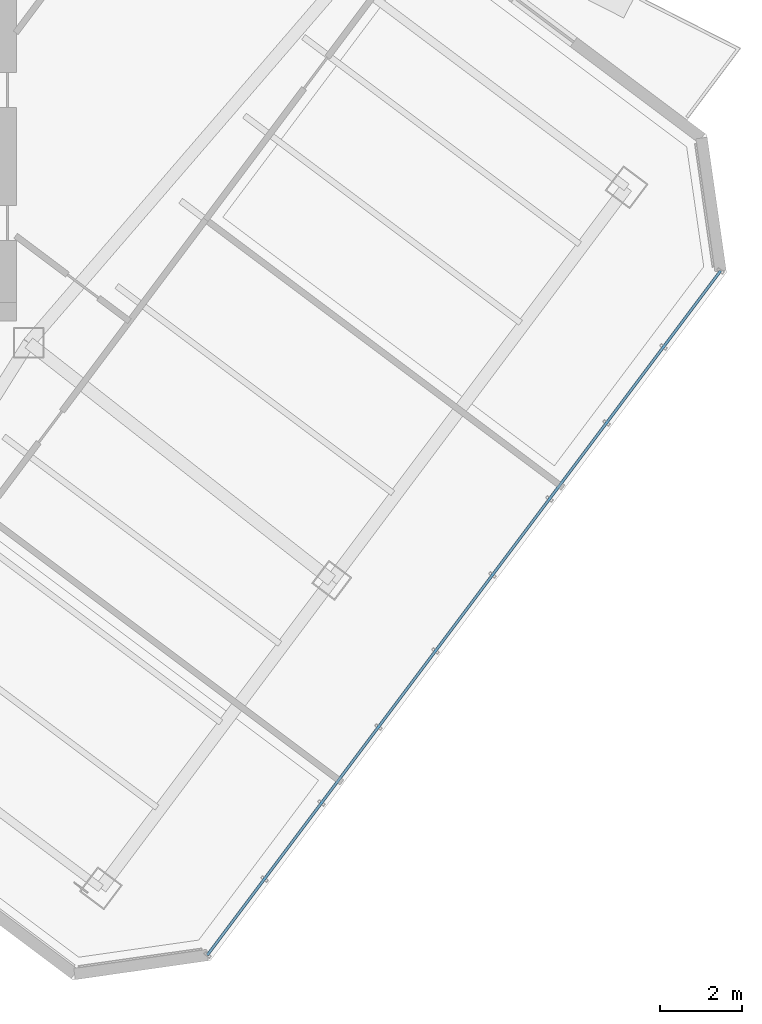
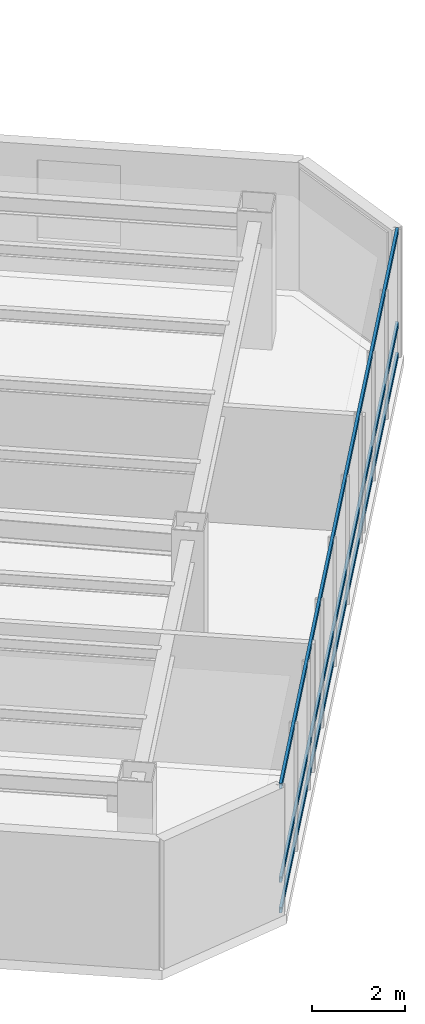
# One storey, part 12 of 26: 3 members, 1 element without a shape of its own.
"""IFC4 building model written with IfcOpenShell, lengths in metres."""

from ifc_helpers import new_model, si_unit, direction, frame, origin, origin_2d, place, context, subcontext, project, spatial, hollow_rectangle, extrude, material, layer, layer_set, material_profile, profile_set, type_object, element, aggregate, save


model = new_model("IFC4")

# Units and contexts
model_context = context("Model", 3, precision=1e-05, world=origin(), true_north=direction((0.0, 1.0)))
body_context = subcontext(model_context, "Body", "Model", "MODEL_VIEW")
ifc_project = project(units=[si_unit("LENGTHUNIT", "METRE"), si_unit("AREAUNIT", "SQUARE_METRE"), si_unit("VOLUMEUNIT", "CUBIC_METRE"), si_unit("PLANEANGLEUNIT", "RADIAN"), si_unit("MASSUNIT", "GRAM", prefix="KILO")], contexts=[model_context])

# Site, building, storey
site_placement = place(None, origin())
site = spatial("IfcSite", under=ifc_project, at=site_placement, CompositionType="ELEMENT")
building_placement = place(site_placement, origin())
building = spatial("IfcBuilding", under=site, at=building_placement, Name="Hatsunagi Terrace Concourse", CompositionType="ELEMENT")
storey_placement = place(building_placement, frame((0.0, 0.0, 198.75)))
storey = spatial("IfcBuildingStorey", under=building, at=storey_placement, Name="L52", CompositionType="ELEMENT", Elevation=198.75)

# Curtain wall, members
ifc_material_1 = material(Name="Anodised Aluminium Alloy 6063-T5", Category="aluminium")
ifc_layer = layer(ifc_material_1, 0.199951171875)
ifc_layer_set = layer_set([ifc_layer], Name="OfficeZone2_CW04")
curtain_wall_type = type_object("IfcCurtainWallType", Name="OfficeZone2_CW04", PredefinedType="NOTDEFINED", material=ifc_layer_set)
curtain_wall_placement = place(storey_placement, origin())
curtain_wall = element("IfcCurtainWall", 1, at=curtain_wall_placement, inside=storey, type_object=curtain_wall_type, Name="Unitised Curtain Wall CW-04 CW-L52-03", PredefinedType="NOTDEFINED")
ifc_material_2 = material(Name="Anodised Aluminium Alloy 6063-T5", Category="aluminium")
ifc_material_profile = material_profile(ifc_material_2, hollow_rectangle(XDim=0.06494140625, YDim=0.139892578125, WallThickness=0.00390625, at=origin_2d()), Name="ALU-TRN-140x65x4")
ifc_profile_set = profile_set([ifc_material_profile], Name="Anodised Aluminium Alloy 6063-T5")
member_type = type_object("IfcMemberType", Name="CurtainWallTransom_140x65", PredefinedType="USERDEFINED", material=ifc_profile_set)
member_1_placement = place(storey_placement, frame((60.693115234375, 25.9580078125, 0.050048828125), z_axis=(-0.599970072971, -0.800022444397, 0.0), x_axis=(0.800022444397, -0.599970072971, 0.0)))
member_1 = element("IfcMember", 2, at=member_1_placement, type_object=member_type, Name="Curtain Wall Transom TRN-02", ObjectType="TRANSOM", PredefinedType="USERDEFINED", context=body_context, shape_type="SweptSolid", body=[
    extrude(hollow_rectangle(XDim=0.06494140625, YDim=0.139892578125, WallThickness=0.00390625, at=origin_2d()), origin(), (0.0, 0.0, 1.0), 20.884521484375),
])
member_2_placement = place(storey_placement, frame((60.693115234375, 25.9580078125, 0.85009765625), z_axis=(-0.599970072971, -0.800022444397, 0.0), x_axis=(0.800022444397, -0.599970072971, 0.0)))
member_2 = element("IfcMember", 3, at=member_2_placement, type_object=member_type, Name="Curtain Wall Transom TRN-02", ObjectType="TRANSOM", PredefinedType="USERDEFINED", context=body_context, shape_type="SweptSolid", body=[
    extrude(hollow_rectangle(XDim=0.06494140625, YDim=0.139892578125, WallThickness=0.00390625, at=origin_2d()), origin(), (0.0, 0.0, 1.0), 20.884521484375),
])
member_3_placement = place(storey_placement, frame((60.693115234375, 25.9580078125, 3.300048828125), z_axis=(-0.599970072971, -0.800022444397, 0.0), x_axis=(0.800022444397, -0.599970072971, 0.0)))
member_3 = element("IfcMember", 4, at=member_3_placement, type_object=member_type, Name="Curtain Wall Transom TRN-02", ObjectType="TRANSOM", PredefinedType="USERDEFINED", context=body_context, shape_type="SweptSolid", body=[
    extrude(hollow_rectangle(XDim=0.06494140625, YDim=0.139892578125, WallThickness=0.00390625, at=origin_2d()), origin(), (0.0, 0.0, 1.0), 20.884521484375),
])
aggregate(curtain_wall, [member_1, member_2, member_3])

save(model, "model.ifc")
